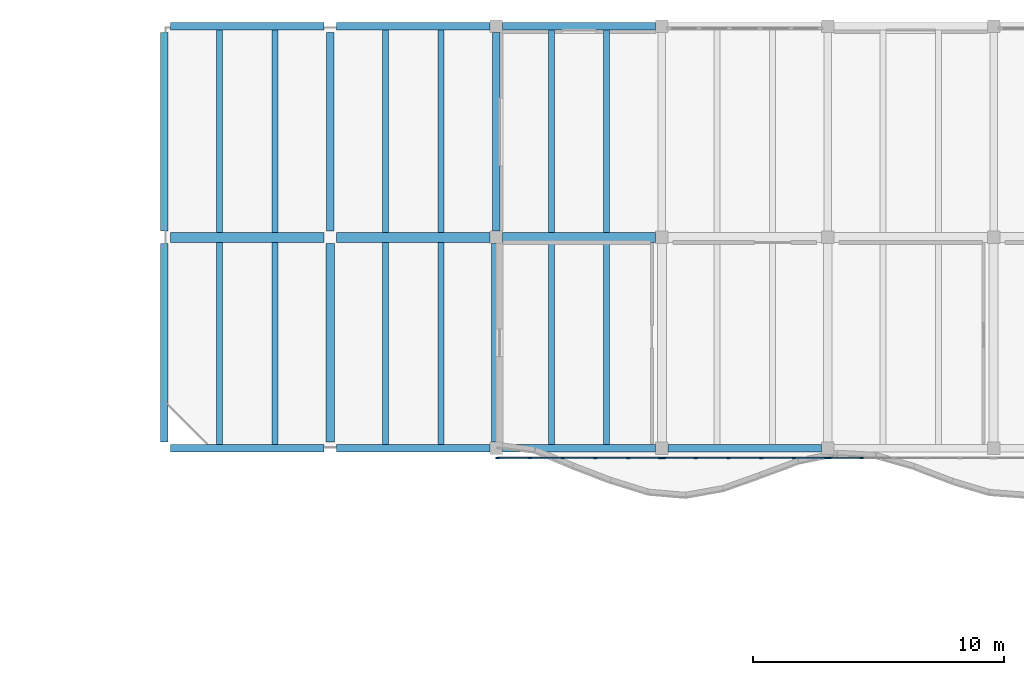
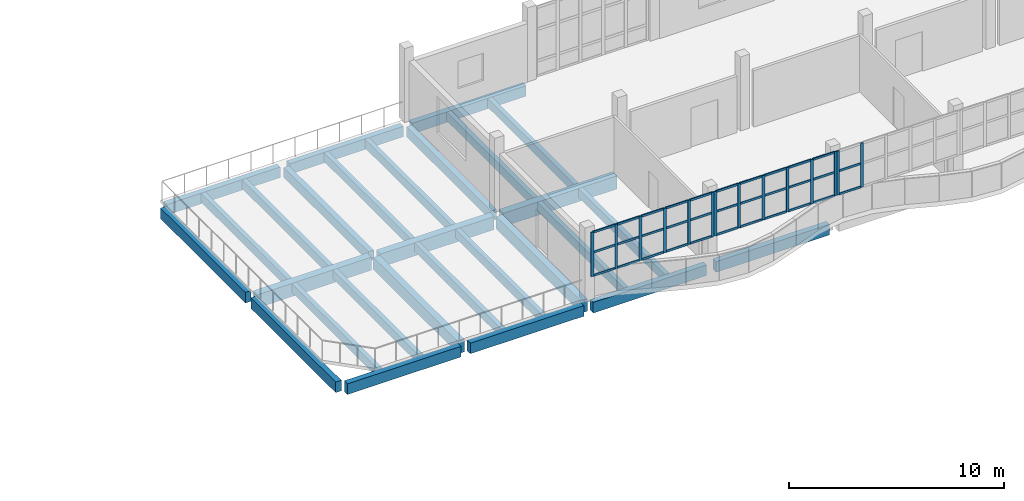
# One storey, part 8 of 47: 46 members, 28 beams, 3 elements without a shape of their own.
"""IFC4 building model written with IfcOpenShell, lengths in metres."""

from ifc_helpers import new_model, si_unit, direction, frame, origin, origin_2d, place, context, subcontext, project, spatial, rectangle, extrude, material, material_profile, profile_set, type_object, element, aggregate, save


model = new_model("IFC4")

# Units and contexts
model_context = context("Model", 3, precision=1e-05, world=origin(), true_north=direction((0.0, 1.0)))
body_context = subcontext(model_context, "Body", "Model", "MODEL_VIEW")
ifc_project = project(units=[si_unit("LENGTHUNIT", "METRE"), si_unit("AREAUNIT", "SQUARE_METRE"), si_unit("VOLUMEUNIT", "CUBIC_METRE"), si_unit("PLANEANGLEUNIT", "RADIAN"), si_unit("MASSUNIT", "GRAM", prefix="KILO")], contexts=[model_context])

# Site, building, storey
site_placement = place(None, origin())
site = spatial("IfcSite", under=ifc_project, at=site_placement, CompositionType="ELEMENT")
building_placement = place(site_placement, origin())
building = spatial("IfcBuilding", under=site, at=building_placement, Name="Qaldarim Faculty of Natural and Applied Sciences", CompositionType="ELEMENT")
storey_placement = place(building_placement, frame((0.0, 0.0, 22.800048828125)))
storey = spatial("IfcBuildingStorey", under=building, at=storey_placement, Name="L05", CompositionType="ELEMENT", Elevation=22.800048828125)

# Beams
ifc_material_1 = material(Name="Concrete C40/50", Category="concrete")
ifc_material_profile_1 = material_profile(ifc_material_1, rectangle(XDim=0.300048828125, YDim=0.550048828125, at=origin_2d()), Name="RC-B300x550")
ifc_profile_set_1 = profile_set([ifc_material_profile_1], Name="Concrete C40/50")
beam_type_1 = type_object("IfcBeamType", Name="FloorBeam-RC300x550", PredefinedType="BEAM", material=ifc_profile_set_1)
for number, where, z_axis, x_axis, name in (
    (1, (52.800048828125, 109.449951171875, -0.53515625), (0.0, 1.0, 0.0), (-1.0, 0.0, 0.0), "Beam RC-B300x550 L04 X09/Y14-Y15"),
    (2, (59.39990234375, 109.449951171875, -0.53515625), (0.0, 1.0, 0.0), (-1.0, 0.0, 0.0), "Beam RC-B300x550 L04 X10/Y14-Y15"),
):
    element("IfcBeam", number, at=place(storey_placement, frame(where, z_axis=z_axis, x_axis=x_axis)), inside=storey, type_object=beam_type_1, Name=name, PredefinedType="BEAM", context=body_context, shape_type="SweptSolid", body=[
        extrude(rectangle(XDim=0.300048828125, YDim=0.550048828125, at=origin_2d()), origin(), (0.0, 0.0, 1.0), 7.900146484375),
    ])
ifc_material_profile_2 = material_profile(ifc_material_1, rectangle(XDim=0.239990234375, YDim=0.5, at=origin_2d()), Name="RC-J240x500")
ifc_profile_set_2 = profile_set([ifc_material_profile_2], Name="Concrete C40/50")
beam_type_2 = type_object("IfcBeamType", Name="HeavyJoist-RC240x500", PredefinedType="JOIST", material=ifc_profile_set_2)
for number, where, z_axis, x_axis, name in (
    (3, (48.39990234375, 100.949951171875, -0.510009765625), (0.0, 1.0, 0.0), (-1.0, 0.0, 0.0), "Laboratory joist L04 bay X08Y13-1"),
    (4, (50.60009765625, 100.949951171875, -0.510009765625), (0.0, 1.0, 0.0), (-1.0, 0.0, 0.0), "Laboratory joist L04 bay X08Y13-2"),
    (5, (48.39990234375, 109.39990234375, -0.510009765625), (0.0, 1.0, 0.0), (-1.0, 0.0, 0.0), "Laboratory joist L04 bay X08Y14-1"),
    (6, (50.60009765625, 109.39990234375, -0.510009765625), (0.0, 1.0, 0.0), (-1.0, 0.0, 0.0), "Laboratory joist L04 bay X08Y14-2"),
    (7, (55.0, 100.949951171875, -0.510009765625), (0.0, 1.0, 0.0), (-1.0, 0.0, 0.0), "Laboratory joist L04 bay X09Y13-1"),
    (8, (57.199951171875, 100.949951171875, -0.510009765625), (0.0, 1.0, 0.0), (-1.0, 0.0, 0.0), "Laboratory joist L04 bay X09Y13-2"),
    (9, (55.0, 109.39990234375, -0.510009765625), (0.0, 1.0, 0.0), (-1.0, 0.0, 0.0), "Laboratory joist L04 bay X09Y14-1"),
    (10, (57.199951171875, 109.39990234375, -0.510009765625), (0.0, 1.0, 0.0), (-1.0, 0.0, 0.0), "Laboratory joist L04 bay X09Y14-2"),
    (11, (61.60009765625, 100.949951171875, -0.510009765625), (0.0, 1.0, 0.0), (-1.0, 0.0, 0.0), "Laboratory joist L04 bay X10Y13-1"),
    (12, (63.800048828125, 100.949951171875, -0.510009765625), (0.0, 1.0, 0.0), (-1.0, 0.0, 0.0), "Laboratory joist L04 bay X10Y13-2"),
    (13, (61.60009765625, 109.39990234375, -0.510009765625), (0.0, 1.0, 0.0), (-1.0, 0.0, 0.0), "Laboratory joist L04 bay X10Y14-1"),
    (14, (63.800048828125, 109.39990234375, -0.510009765625), (0.0, 1.0, 0.0), (-1.0, 0.0, 0.0), "Laboratory joist L04 bay X10Y14-2"),
):
    element("IfcBeam", number, at=place(storey_placement, frame(where, z_axis=z_axis, x_axis=x_axis)), inside=storey, type_object=beam_type_2, Name=name, PredefinedType="JOIST", context=body_context, shape_type="SweptSolid", body=[
        extrude(rectangle(XDim=0.239990234375, YDim=0.5, at=origin_2d()), origin(), (0.0, 0.0, 1.0), 8.050048828125),
    ])
ifc_material_2 = material(Name="Concrete C50/60", Category="concrete")
ifc_material_profile_3 = material_profile(ifc_material_2, rectangle(XDim=0.39990234375, YDim=0.75, at=origin_2d()), Name="RC-B400x750")
ifc_profile_set_3 = profile_set([ifc_material_profile_3], Name="Concrete C50/60")
beam_type_3 = type_object("IfcBeamType", Name="LabGirder-RC400x750", PredefinedType="BEAM", material=ifc_profile_set_3)
beam_1_placement = place(storey_placement, frame((46.449951171875, 109.199951171875, -0.635009765625), z_axis=(1.0, 0.0, 0.0), x_axis=(0.0, 1.0, 0.0)))
element("IfcBeam", 15, at=beam_1_placement, inside=storey, type_object=beam_type_3, Name="Beam RC-B400x750 L04 X08-X09/Y14", PredefinedType="BEAM", context=body_context, shape_type="SweptSolid", body=[
    extrude(rectangle(XDim=0.39990234375, YDim=0.75, at=origin_2d()), origin(), (0.0, 0.0, 1.0), 6.10009765625),
])
beam_2_placement = place(storey_placement, frame((53.050048828125, 109.199951171875, -0.635009765625), z_axis=(1.0, 0.0, 0.0), x_axis=(0.0, 1.0, 0.0)))
element("IfcBeam", 16, at=beam_2_placement, inside=storey, type_object=beam_type_3, Name="Beam RC-B400x750 L04 X09-X10/Y14", PredefinedType="BEAM", context=body_context, shape_type="SweptSolid", body=[
    extrude(rectangle(XDim=0.39990234375, YDim=0.75, at=origin_2d()), origin(), (0.0, 0.0, 1.0), 6.099853515625),
])
beam_3_placement = place(storey_placement, frame((59.64990234375, 109.199951171875, -0.635009765625), z_axis=(1.0, 0.0, 0.0), x_axis=(0.0, 1.0, 0.0)))
element("IfcBeam", 17, at=beam_3_placement, inside=storey, type_object=beam_type_3, Name="Beam RC-B400x750 L04 X10-X11/Y14", PredefinedType="BEAM", context=body_context, shape_type="SweptSolid", body=[
    extrude(rectangle(XDim=0.39990234375, YDim=0.75, at=origin_2d()), origin(), (0.0, 0.0, 1.0), 6.10009765625),
])

# Curtain wall, members
ifc_material_3 = material(Name="Anodised aluminium AW-6063", Category="aluminium")
curtain_wall_type = type_object("IfcCurtainWallType", Name="CurtainWallSystem-M1400", PredefinedType="USERDEFINED", material=ifc_material_3)
curtain_wall_1_placement = place(storey_placement, origin())
curtain_wall_1 = element("IfcCurtainWall", 18, at=curtain_wall_1_placement, inside=storey, type_object=curtain_wall_type, Name="Curtain wall CW-V4RIB-L05-X10", ObjectType="STICK CURTAIN WALL", PredefinedType="USERDEFINED")
ifc_material_profile_4 = material_profile(ifc_material_3, rectangle(XDim=0.06005859375, YDim=0.14990234375, at=origin_2d()), Name="ALU-M60x150")
ifc_profile_set_4 = profile_set([ifc_material_profile_4], Name="Anodised aluminium AW-6063")
member_type_1 = type_object("IfcMemberType", Name="Mullion-ALU60x150", PredefinedType="MULLION", material=ifc_profile_set_4)
member_1_placement = place(storey_placement, frame((59.469970703125, 100.419921875, 1.449951171875), z_axis=(0.0, 0.0, 1.0), x_axis=(0.0, 1.0, 0.0)))
member_1 = element("IfcMember", 19, at=member_1_placement, type_object=member_type_1, Name="Mullion 1 of CW-V4RIB-L05-X10", PredefinedType="MULLION", context=body_context, shape_type="SweptSolid", body=[
    extrude(rectangle(XDim=0.06005859375, YDim=0.14990234375, at=origin_2d()), origin(), (0.0, 0.0, 1.0), 2.510009765625),
])
member_2_placement = place(storey_placement, frame((60.743896484375, 100.419921875, 1.449951171875), z_axis=(0.0, 0.0, 1.0), x_axis=(0.0, 1.0, 0.0)))
member_2 = element("IfcMember", 20, at=member_2_placement, type_object=member_type_1, Name="Mullion 2 of CW-V4RIB-L05-X10", PredefinedType="MULLION", context=body_context, shape_type="SweptSolid", body=[
    extrude(rectangle(XDim=0.06005859375, YDim=0.14990234375, at=origin_2d()), origin(), (0.0, 0.0, 1.0), 2.510009765625),
])
member_3_placement = place(storey_placement, frame((62.048095703125, 100.419921875, 1.449951171875), z_axis=(0.0, 0.0, 1.0), x_axis=(0.0, 1.0, 0.0)))
member_3 = element("IfcMember", 21, at=member_3_placement, type_object=member_type_1, Name="Mullion 3 of CW-V4RIB-L05-X10", PredefinedType="MULLION", context=body_context, shape_type="SweptSolid", body=[
    extrude(rectangle(XDim=0.06005859375, YDim=0.14990234375, at=origin_2d()), origin(), (0.0, 0.0, 1.0), 2.510009765625),
])
member_4_placement = place(storey_placement, frame((63.35205078125, 100.419921875, 1.449951171875), z_axis=(0.0, 0.0, 1.0), x_axis=(0.0, 1.0, 0.0)))
member_4 = element("IfcMember", 22, at=member_4_placement, type_object=member_type_1, Name="Mullion 4 of CW-V4RIB-L05-X10", PredefinedType="MULLION", context=body_context, shape_type="SweptSolid", body=[
    extrude(rectangle(XDim=0.06005859375, YDim=0.14990234375, at=origin_2d()), origin(), (0.0, 0.0, 1.0), 2.510009765625),
])
member_5_placement = place(storey_placement, frame((64.656005859375, 100.419921875, 1.449951171875), z_axis=(0.0, 0.0, 1.0), x_axis=(0.0, 1.0, 0.0)))
member_5 = element("IfcMember", 23, at=member_5_placement, type_object=member_type_1, Name="Mullion 5 of CW-V4RIB-L05-X10", PredefinedType="MULLION", context=body_context, shape_type="SweptSolid", body=[
    extrude(rectangle(XDim=0.06005859375, YDim=0.14990234375, at=origin_2d()), origin(), (0.0, 0.0, 1.0), 2.510009765625),
])
member_6_placement = place(storey_placement, frame((65.929931640625, 100.419921875, 1.449951171875), z_axis=(0.0, 0.0, 1.0), x_axis=(0.0, 1.0, 0.0)))
member_6 = element("IfcMember", 24, at=member_6_placement, type_object=member_type_1, Name="Mullion 6 of CW-V4RIB-L05-X10", PredefinedType="MULLION", context=body_context, shape_type="SweptSolid", body=[
    extrude(rectangle(XDim=0.06005859375, YDim=0.14990234375, at=origin_2d()), origin(), (0.0, 0.0, 1.0), 2.510009765625),
])

curtain_wall_2_placement = place(storey_placement, origin())
curtain_wall_2 = element("IfcCurtainWall", 25, at=curtain_wall_2_placement, inside=storey, type_object=curtain_wall_type, Name="Curtain wall CW-V4RIB-L05-X11", ObjectType="STICK CURTAIN WALL", PredefinedType="USERDEFINED")
member_7_placement = place(storey_placement, frame((66.070068359375, 100.419921875, 1.449951171875), z_axis=(0.0, 0.0, 1.0), x_axis=(0.0, 1.0, 0.0)))
member_7 = element("IfcMember", 26, at=member_7_placement, type_object=member_type_1, Name="Mullion 1 of CW-V4RIB-L05-X11", PredefinedType="MULLION", context=body_context, shape_type="SweptSolid", body=[
    extrude(rectangle(XDim=0.06005859375, YDim=0.14990234375, at=origin_2d()), origin(), (0.0, 0.0, 1.0), 2.510009765625),
])
member_8_placement = place(storey_placement, frame((67.343994140625, 100.419921875, 1.449951171875), z_axis=(0.0, 0.0, 1.0), x_axis=(0.0, 1.0, 0.0)))
member_8 = element("IfcMember", 27, at=member_8_placement, type_object=member_type_1, Name="Mullion 2 of CW-V4RIB-L05-X11", PredefinedType="MULLION", context=body_context, shape_type="SweptSolid", body=[
    extrude(rectangle(XDim=0.06005859375, YDim=0.14990234375, at=origin_2d()), origin(), (0.0, 0.0, 1.0), 2.510009765625),
])
member_9_placement = place(storey_placement, frame((68.64794921875, 100.419921875, 1.449951171875), z_axis=(0.0, 0.0, 1.0), x_axis=(0.0, 1.0, 0.0)))
member_9 = element("IfcMember", 28, at=member_9_placement, type_object=member_type_1, Name="Mullion 3 of CW-V4RIB-L05-X11", PredefinedType="MULLION", context=body_context, shape_type="SweptSolid", body=[
    extrude(rectangle(XDim=0.06005859375, YDim=0.14990234375, at=origin_2d()), origin(), (0.0, 0.0, 1.0), 2.510009765625),
])
member_10_placement = place(storey_placement, frame((69.951904296875, 100.419921875, 1.449951171875), z_axis=(0.0, 0.0, 1.0), x_axis=(0.0, 1.0, 0.0)))
member_10 = element("IfcMember", 29, at=member_10_placement, type_object=member_type_1, Name="Mullion 4 of CW-V4RIB-L05-X11", PredefinedType="MULLION", context=body_context, shape_type="SweptSolid", body=[
    extrude(rectangle(XDim=0.06005859375, YDim=0.14990234375, at=origin_2d()), origin(), (0.0, 0.0, 1.0), 2.510009765625),
])
member_11_placement = place(storey_placement, frame((71.256103515625, 100.419921875, 1.449951171875), z_axis=(0.0, 0.0, 1.0), x_axis=(0.0, 1.0, 0.0)))
member_11 = element("IfcMember", 30, at=member_11_placement, type_object=member_type_1, Name="Mullion 5 of CW-V4RIB-L05-X11", PredefinedType="MULLION", context=body_context, shape_type="SweptSolid", body=[
    extrude(rectangle(XDim=0.06005859375, YDim=0.14990234375, at=origin_2d()), origin(), (0.0, 0.0, 1.0), 2.510009765625),
])
member_12_placement = place(storey_placement, frame((72.530029296875, 100.419921875, 1.449951171875), z_axis=(0.0, 0.0, 1.0), x_axis=(0.0, 1.0, 0.0)))
member_12 = element("IfcMember", 31, at=member_12_placement, type_object=member_type_1, Name="Mullion 6 of CW-V4RIB-L05-X11", PredefinedType="MULLION", context=body_context, shape_type="SweptSolid", body=[
    extrude(rectangle(XDim=0.06005859375, YDim=0.14990234375, at=origin_2d()), origin(), (0.0, 0.0, 1.0), 2.510009765625),
])

curtain_wall_3_placement = place(storey_placement, origin())
curtain_wall_3 = element("IfcCurtainWall", 32, at=curtain_wall_3_placement, inside=storey, type_object=curtain_wall_type, Name="Curtain wall CW-V4RIB-L05-X12", ObjectType="STICK CURTAIN WALL", PredefinedType="USERDEFINED")
member_13_placement = place(storey_placement, frame((72.669921875, 100.419921875, 1.449951171875), z_axis=(0.0, 0.0, 1.0), x_axis=(0.0, 1.0, 0.0)))
member_13 = element("IfcMember", 33, at=member_13_placement, type_object=member_type_1, Name="Mullion 1 of CW-V4RIB-L05-X12", PredefinedType="MULLION", context=body_context, shape_type="SweptSolid", body=[
    extrude(rectangle(XDim=0.06005859375, YDim=0.14990234375, at=origin_2d()), origin(), (0.0, 0.0, 1.0), 2.510009765625),
])
member_14_placement = place(storey_placement, frame((73.944091796875, 100.419921875, 1.449951171875), z_axis=(0.0, 0.0, 1.0), x_axis=(0.0, 1.0, 0.0)))
member_14 = element("IfcMember", 34, at=member_14_placement, type_object=member_type_1, Name="Mullion 2 of CW-V4RIB-L05-X12", PredefinedType="MULLION", context=body_context, shape_type="SweptSolid", body=[
    extrude(rectangle(XDim=0.06005859375, YDim=0.14990234375, at=origin_2d()), origin(), (0.0, 0.0, 1.0), 2.510009765625),
])

# Beams
ifc_material_profile_5 = material_profile(ifc_material_1, rectangle(XDim=0.35009765625, YDim=0.699951171875, at=origin_2d()), Name="RC-B350x700")
ifc_profile_set_5 = profile_set([ifc_material_profile_5], Name="Concrete C40/50")
beam_type_4 = type_object("IfcBeamType", Name="PrimaryGirder-RC350x700", PredefinedType="BEAM", material=ifc_profile_set_5)
for number, where, z_axis, x_axis, name in (
    (35, (52.800048828125, 101.050048828125, -0.610107421875), (0.0, 1.0, 0.0), (-1.0, 0.0, 0.0), "Beam RC-B350x700 L04 X09/Y13-Y14"),
    (36, (59.39990234375, 101.050048828125, -0.610107421875), (0.0, 1.0, 0.0), (-1.0, 0.0, 0.0), "Beam RC-B350x700 L04 X10/Y13-Y14"),
):
    element("IfcBeam", number, at=place(storey_placement, frame(where, z_axis=z_axis, x_axis=x_axis)), inside=storey, type_object=beam_type_4, Name=name, PredefinedType="BEAM", context=body_context, shape_type="SweptSolid", body=[
        extrude(rectangle(XDim=0.35009765625, YDim=0.699951171875, at=origin_2d()), origin(), (0.0, 0.0, 1.0), 7.89990234375),
    ])
ifc_material_4 = material(Name="Precast concrete C40/50", Category="concrete")
ifc_material_profile_6 = material_profile(ifc_material_4, rectangle(XDim=0.300048828125, YDim=0.60009765625, at=origin_2d()), Name="RC-SP300x600")
ifc_profile_set_6 = profile_set([ifc_material_profile_6], Name="Precast concrete C40/50")
beam_type_5 = type_object("IfcBeamType", Name="SpandrelBeam-RC300x600", PredefinedType="SPANDREL", material=ifc_profile_set_6)
beam_4_placement = place(storey_placement, frame((46.449951171875, 100.800048828125, -0.56005859375), z_axis=(1.0, 0.0, 0.0), x_axis=(0.0, 1.0, 0.0)))
element("IfcBeam", 37, at=beam_4_placement, inside=storey, type_object=beam_type_5, Name="Beam RC-SP300x600 L04 X08-X09/Y13", PredefinedType="SPANDREL", context=body_context, shape_type="SweptSolid", body=[
    extrude(rectangle(XDim=0.300048828125, YDim=0.60009765625, at=origin_2d()), origin(), (0.0, 0.0, 1.0), 6.10009765625),
])
beam_5_placement = place(storey_placement, frame((53.050048828125, 100.800048828125, -0.56005859375), z_axis=(1.0, 0.0, 0.0), x_axis=(0.0, 1.0, 0.0)))
element("IfcBeam", 38, at=beam_5_placement, inside=storey, type_object=beam_type_5, Name="Beam RC-SP300x600 L04 X09-X10/Y13", PredefinedType="SPANDREL", context=body_context, shape_type="SweptSolid", body=[
    extrude(rectangle(XDim=0.300048828125, YDim=0.60009765625, at=origin_2d()), origin(), (0.0, 0.0, 1.0), 6.099853515625),
])
for number, where, z_axis, x_axis, name in (
    (39, (59.64990234375, 100.800048828125, -0.56005859375), (1.0, 0.0, 0.0), (0.0, 1.0, 0.0), "Beam RC-SP300x600 L04 X10-X11/Y13"),
    (40, (66.25, 100.800048828125, -0.56005859375), (1.0, 0.0, 0.0), (0.0, 1.0, 0.0), "Beam RC-SP300x600 L04 X11-X12/Y13"),
    (41, (46.449951171875, 117.60009765625, -0.56005859375), (1.0, 0.0, 0.0), (0.0, 1.0, 0.0), "Beam RC-SP300x600 L04 X08-X09/Y15"),
):
    element("IfcBeam", number, at=place(storey_placement, frame(where, z_axis=z_axis, x_axis=x_axis)), inside=storey, type_object=beam_type_5, Name=name, PredefinedType="SPANDREL", context=body_context, shape_type="SweptSolid", body=[
        extrude(rectangle(XDim=0.300048828125, YDim=0.60009765625, at=origin_2d()), origin(), (0.0, 0.0, 1.0), 6.10009765625),
    ])
beam_6_placement = place(storey_placement, frame((53.050048828125, 117.60009765625, -0.56005859375), z_axis=(1.0, 0.0, 0.0), x_axis=(0.0, 1.0, 0.0)))
element("IfcBeam", 42, at=beam_6_placement, inside=storey, type_object=beam_type_5, Name="Beam RC-SP300x600 L04 X09-X10/Y15", PredefinedType="SPANDREL", context=body_context, shape_type="SweptSolid", body=[
    extrude(rectangle(XDim=0.300048828125, YDim=0.60009765625, at=origin_2d()), origin(), (0.0, 0.0, 1.0), 6.099853515625),
])
beam_7_placement = place(storey_placement, frame((59.64990234375, 117.60009765625, -0.56005859375), z_axis=(1.0, 0.0, 0.0), x_axis=(0.0, 1.0, 0.0)))
element("IfcBeam", 43, at=beam_7_placement, inside=storey, type_object=beam_type_5, Name="Beam RC-SP300x600 L04 X10-X11/Y15", PredefinedType="SPANDREL", context=body_context, shape_type="SweptSolid", body=[
    extrude(rectangle(XDim=0.300048828125, YDim=0.60009765625, at=origin_2d()), origin(), (0.0, 0.0, 1.0), 6.10009765625),
])
beam_8_placement = place(storey_placement, frame((46.199951171875, 101.050048828125, -0.56005859375), z_axis=(0.0, 1.0, 0.0), x_axis=(-1.0, 0.0, 0.0)))
element("IfcBeam", 44, at=beam_8_placement, inside=storey, type_object=beam_type_5, Name="Beam RC-SP300x600 L04 X08/Y13-Y14", PredefinedType="SPANDREL", context=body_context, shape_type="SweptSolid", body=[
    extrude(rectangle(XDim=0.300048828125, YDim=0.60009765625, at=origin_2d()), origin(), (0.0, 0.0, 1.0), 7.89990234375),
])
beam_9_placement = place(storey_placement, frame((46.199951171875, 109.449951171875, -0.56005859375), z_axis=(0.0, 1.0, 0.0), x_axis=(-1.0, 0.0, 0.0)))
element("IfcBeam", 45, at=beam_9_placement, inside=storey, type_object=beam_type_5, Name="Beam RC-SP300x600 L04 X08/Y14-Y15", PredefinedType="SPANDREL", context=body_context, shape_type="SweptSolid", body=[
    extrude(rectangle(XDim=0.300048828125, YDim=0.60009765625, at=origin_2d()), origin(), (0.0, 0.0, 1.0), 7.900146484375),
])

# Member
ifc_material_profile_7 = material_profile(ifc_material_3, rectangle(XDim=0.06005859375, YDim=0.1201171875, at=origin_2d()), Name="ALU-T60x120")
ifc_profile_set_7 = profile_set([ifc_material_profile_7], Name="Anodised aluminium AW-6063")
member_type_2 = type_object("IfcMemberType", Name="Transom-ALU60x120", PredefinedType="USERDEFINED", material=ifc_profile_set_7)
member_15_placement = place(storey_placement, frame((59.5, 100.419921875, 1.47998046875), z_axis=(1.0, 0.0, 0.0), x_axis=(0.0, 1.0, 0.0)))
member_15 = element("IfcMember", 46, at=member_15_placement, type_object=member_type_2, Name="Transom 1-1 of CW-V4RIB-L05-X10", ObjectType="TRANSOM", PredefinedType="USERDEFINED", context=body_context, shape_type="SweptSolid", body=[
    extrude(rectangle(XDim=0.06005859375, YDim=0.1201171875, at=origin_2d()), origin(), (0.0, 0.0, 1.0), 1.214111328125),
])

member_16_placement = place(storey_placement, frame((59.5, 100.419921875, 2.800048828125), z_axis=(1.0, 0.0, 0.0), x_axis=(0.0, 1.0, 0.0)))
member_16 = element("IfcMember", 47, at=member_16_placement, type_object=member_type_2, Name="Transom 1-2 of CW-V4RIB-L05-X10", ObjectType="TRANSOM", PredefinedType="USERDEFINED", context=body_context, shape_type="SweptSolid", body=[
    extrude(rectangle(XDim=0.06005859375, YDim=0.1201171875, at=origin_2d()), origin(), (0.0, 0.0, 1.0), 1.214111328125),
])

member_17_placement = place(storey_placement, frame((59.5, 100.419921875, 3.929931640625), z_axis=(1.0, 0.0, 0.0), x_axis=(0.0, 1.0, 0.0)))
member_17 = element("IfcMember", 48, at=member_17_placement, type_object=member_type_2, Name="Transom 1-3 of CW-V4RIB-L05-X10", ObjectType="TRANSOM", PredefinedType="USERDEFINED", context=body_context, shape_type="SweptSolid", body=[
    extrude(rectangle(XDim=0.06005859375, YDim=0.1201171875, at=origin_2d()), origin(), (0.0, 0.0, 1.0), 1.214111328125),
])

member_18_placement = place(storey_placement, frame((60.77392578125, 100.419921875, 1.47998046875), z_axis=(1.0, 0.0, 0.0), x_axis=(0.0, 1.0, 0.0)))
member_18 = element("IfcMember", 49, at=member_18_placement, type_object=member_type_2, Name="Transom 2-1 of CW-V4RIB-L05-X10", ObjectType="TRANSOM", PredefinedType="USERDEFINED", context=body_context, shape_type="SweptSolid", body=[
    extrude(rectangle(XDim=0.06005859375, YDim=0.1201171875, at=origin_2d()), origin(), (0.0, 0.0, 1.0), 1.244140625),
])

member_19_placement = place(storey_placement, frame((60.77392578125, 100.419921875, 2.800048828125), z_axis=(1.0, 0.0, 0.0), x_axis=(0.0, 1.0, 0.0)))
member_19 = element("IfcMember", 50, at=member_19_placement, type_object=member_type_2, Name="Transom 2-2 of CW-V4RIB-L05-X10", ObjectType="TRANSOM", PredefinedType="USERDEFINED", context=body_context, shape_type="SweptSolid", body=[
    extrude(rectangle(XDim=0.06005859375, YDim=0.1201171875, at=origin_2d()), origin(), (0.0, 0.0, 1.0), 1.244140625),
])

member_20_placement = place(storey_placement, frame((60.77392578125, 100.419921875, 3.929931640625), z_axis=(1.0, 0.0, 0.0), x_axis=(0.0, 1.0, 0.0)))
member_20 = element("IfcMember", 51, at=member_20_placement, type_object=member_type_2, Name="Transom 2-3 of CW-V4RIB-L05-X10", ObjectType="TRANSOM", PredefinedType="USERDEFINED", context=body_context, shape_type="SweptSolid", body=[
    extrude(rectangle(XDim=0.06005859375, YDim=0.1201171875, at=origin_2d()), origin(), (0.0, 0.0, 1.0), 1.244140625),
])

member_21_placement = place(storey_placement, frame((62.077880859375, 100.419921875, 1.47998046875), z_axis=(1.0, 0.0, 0.0), x_axis=(0.0, 1.0, 0.0)))
member_21 = element("IfcMember", 52, at=member_21_placement, type_object=member_type_2, Name="Transom 3-1 of CW-V4RIB-L05-X10", ObjectType="TRANSOM", PredefinedType="USERDEFINED", context=body_context, shape_type="SweptSolid", body=[
    extrude(rectangle(XDim=0.06005859375, YDim=0.1201171875, at=origin_2d()), origin(), (0.0, 0.0, 1.0), 1.244140625),
])

member_22_placement = place(storey_placement, frame((62.077880859375, 100.419921875, 2.800048828125), z_axis=(1.0, 0.0, 0.0), x_axis=(0.0, 1.0, 0.0)))
member_22 = element("IfcMember", 53, at=member_22_placement, type_object=member_type_2, Name="Transom 3-2 of CW-V4RIB-L05-X10", ObjectType="TRANSOM", PredefinedType="USERDEFINED", context=body_context, shape_type="SweptSolid", body=[
    extrude(rectangle(XDim=0.06005859375, YDim=0.1201171875, at=origin_2d()), origin(), (0.0, 0.0, 1.0), 1.244140625),
])

member_23_placement = place(storey_placement, frame((62.077880859375, 100.419921875, 3.929931640625), z_axis=(1.0, 0.0, 0.0), x_axis=(0.0, 1.0, 0.0)))
member_23 = element("IfcMember", 54, at=member_23_placement, type_object=member_type_2, Name="Transom 3-3 of CW-V4RIB-L05-X10", ObjectType="TRANSOM", PredefinedType="USERDEFINED", context=body_context, shape_type="SweptSolid", body=[
    extrude(rectangle(XDim=0.06005859375, YDim=0.1201171875, at=origin_2d()), origin(), (0.0, 0.0, 1.0), 1.244140625),
])

member_24_placement = place(storey_placement, frame((63.382080078125, 100.419921875, 1.47998046875), z_axis=(1.0, 0.0, 0.0), x_axis=(0.0, 1.0, 0.0)))
member_24 = element("IfcMember", 55, at=member_24_placement, type_object=member_type_2, Name="Transom 4-1 of CW-V4RIB-L05-X10", ObjectType="TRANSOM", PredefinedType="USERDEFINED", context=body_context, shape_type="SweptSolid", body=[
    extrude(rectangle(XDim=0.06005859375, YDim=0.1201171875, at=origin_2d()), origin(), (0.0, 0.0, 1.0), 1.243896484375),
])

member_25_placement = place(storey_placement, frame((63.382080078125, 100.419921875, 2.800048828125), z_axis=(1.0, 0.0, 0.0), x_axis=(0.0, 1.0, 0.0)))
member_25 = element("IfcMember", 56, at=member_25_placement, type_object=member_type_2, Name="Transom 4-2 of CW-V4RIB-L05-X10", ObjectType="TRANSOM", PredefinedType="USERDEFINED", context=body_context, shape_type="SweptSolid", body=[
    extrude(rectangle(XDim=0.06005859375, YDim=0.1201171875, at=origin_2d()), origin(), (0.0, 0.0, 1.0), 1.243896484375),
])

member_26_placement = place(storey_placement, frame((63.382080078125, 100.419921875, 3.929931640625), z_axis=(1.0, 0.0, 0.0), x_axis=(0.0, 1.0, 0.0)))
member_26 = element("IfcMember", 57, at=member_26_placement, type_object=member_type_2, Name="Transom 4-3 of CW-V4RIB-L05-X10", ObjectType="TRANSOM", PredefinedType="USERDEFINED", context=body_context, shape_type="SweptSolid", body=[
    extrude(rectangle(XDim=0.06005859375, YDim=0.1201171875, at=origin_2d()), origin(), (0.0, 0.0, 1.0), 1.243896484375),
])

member_27_placement = place(storey_placement, frame((64.68603515625, 100.419921875, 1.47998046875), z_axis=(1.0, 0.0, 0.0), x_axis=(0.0, 1.0, 0.0)))
member_27 = element("IfcMember", 58, at=member_27_placement, type_object=member_type_2, Name="Transom 5-1 of CW-V4RIB-L05-X10", ObjectType="TRANSOM", PredefinedType="USERDEFINED", context=body_context, shape_type="SweptSolid", body=[
    extrude(rectangle(XDim=0.06005859375, YDim=0.1201171875, at=origin_2d()), origin(), (0.0, 0.0, 1.0), 1.2138671875),
])

member_28_placement = place(storey_placement, frame((64.68603515625, 100.419921875, 2.800048828125), z_axis=(1.0, 0.0, 0.0), x_axis=(0.0, 1.0, 0.0)))
member_28 = element("IfcMember", 59, at=member_28_placement, type_object=member_type_2, Name="Transom 5-2 of CW-V4RIB-L05-X10", ObjectType="TRANSOM", PredefinedType="USERDEFINED", context=body_context, shape_type="SweptSolid", body=[
    extrude(rectangle(XDim=0.06005859375, YDim=0.1201171875, at=origin_2d()), origin(), (0.0, 0.0, 1.0), 1.2138671875),
])

member_29_placement = place(storey_placement, frame((64.68603515625, 100.419921875, 3.929931640625), z_axis=(1.0, 0.0, 0.0), x_axis=(0.0, 1.0, 0.0)))
member_29 = element("IfcMember", 60, at=member_29_placement, type_object=member_type_2, Name="Transom 5-3 of CW-V4RIB-L05-X10", ObjectType="TRANSOM", PredefinedType="USERDEFINED", context=body_context, shape_type="SweptSolid", body=[
    extrude(rectangle(XDim=0.06005859375, YDim=0.1201171875, at=origin_2d()), origin(), (0.0, 0.0, 1.0), 1.2138671875),
])

aggregate(curtain_wall_1, [member_1, member_2, member_3, member_4, member_5, member_6, member_15, member_16, member_17, member_18, member_19, member_20, member_21, member_22, member_23, member_24, member_25, member_26, member_27, member_28, member_29])

member_30_placement = place(storey_placement, frame((66.10009765625, 100.419921875, 1.47998046875), z_axis=(1.0, 0.0, 0.0), x_axis=(0.0, 1.0, 0.0)))
member_30 = element("IfcMember", 61, at=member_30_placement, type_object=member_type_2, Name="Transom 1-1 of CW-V4RIB-L05-X11", ObjectType="TRANSOM", PredefinedType="USERDEFINED", context=body_context, shape_type="SweptSolid", body=[
    extrude(rectangle(XDim=0.06005859375, YDim=0.1201171875, at=origin_2d()), origin(), (0.0, 0.0, 1.0), 1.2138671875),
])

member_31_placement = place(storey_placement, frame((66.10009765625, 100.419921875, 2.800048828125), z_axis=(1.0, 0.0, 0.0), x_axis=(0.0, 1.0, 0.0)))
member_31 = element("IfcMember", 62, at=member_31_placement, type_object=member_type_2, Name="Transom 1-2 of CW-V4RIB-L05-X11", ObjectType="TRANSOM", PredefinedType="USERDEFINED", context=body_context, shape_type="SweptSolid", body=[
    extrude(rectangle(XDim=0.06005859375, YDim=0.1201171875, at=origin_2d()), origin(), (0.0, 0.0, 1.0), 1.2138671875),
])

member_32_placement = place(storey_placement, frame((66.10009765625, 100.419921875, 3.929931640625), z_axis=(1.0, 0.0, 0.0), x_axis=(0.0, 1.0, 0.0)))
member_32 = element("IfcMember", 63, at=member_32_placement, type_object=member_type_2, Name="Transom 1-3 of CW-V4RIB-L05-X11", ObjectType="TRANSOM", PredefinedType="USERDEFINED", context=body_context, shape_type="SweptSolid", body=[
    extrude(rectangle(XDim=0.06005859375, YDim=0.1201171875, at=origin_2d()), origin(), (0.0, 0.0, 1.0), 1.2138671875),
])

member_33_placement = place(storey_placement, frame((67.3740234375, 100.419921875, 1.47998046875), z_axis=(1.0, 0.0, 0.0), x_axis=(0.0, 1.0, 0.0)))
member_33 = element("IfcMember", 64, at=member_33_placement, type_object=member_type_2, Name="Transom 2-1 of CW-V4RIB-L05-X11", ObjectType="TRANSOM", PredefinedType="USERDEFINED", context=body_context, shape_type="SweptSolid", body=[
    extrude(rectangle(XDim=0.06005859375, YDim=0.1201171875, at=origin_2d()), origin(), (0.0, 0.0, 1.0), 1.243896484375),
])

member_34_placement = place(storey_placement, frame((67.3740234375, 100.419921875, 2.800048828125), z_axis=(1.0, 0.0, 0.0), x_axis=(0.0, 1.0, 0.0)))
member_34 = element("IfcMember", 65, at=member_34_placement, type_object=member_type_2, Name="Transom 2-2 of CW-V4RIB-L05-X11", ObjectType="TRANSOM", PredefinedType="USERDEFINED", context=body_context, shape_type="SweptSolid", body=[
    extrude(rectangle(XDim=0.06005859375, YDim=0.1201171875, at=origin_2d()), origin(), (0.0, 0.0, 1.0), 1.243896484375),
])

member_35_placement = place(storey_placement, frame((67.3740234375, 100.419921875, 3.929931640625), z_axis=(1.0, 0.0, 0.0), x_axis=(0.0, 1.0, 0.0)))
member_35 = element("IfcMember", 66, at=member_35_placement, type_object=member_type_2, Name="Transom 2-3 of CW-V4RIB-L05-X11", ObjectType="TRANSOM", PredefinedType="USERDEFINED", context=body_context, shape_type="SweptSolid", body=[
    extrude(rectangle(XDim=0.06005859375, YDim=0.1201171875, at=origin_2d()), origin(), (0.0, 0.0, 1.0), 1.243896484375),
])

member_36_placement = place(storey_placement, frame((68.677978515625, 100.419921875, 1.47998046875), z_axis=(1.0, 0.0, 0.0), x_axis=(0.0, 1.0, 0.0)))
member_36 = element("IfcMember", 67, at=member_36_placement, type_object=member_type_2, Name="Transom 3-1 of CW-V4RIB-L05-X11", ObjectType="TRANSOM", PredefinedType="USERDEFINED", context=body_context, shape_type="SweptSolid", body=[
    extrude(rectangle(XDim=0.06005859375, YDim=0.1201171875, at=origin_2d()), origin(), (0.0, 0.0, 1.0), 1.244140625),
])

member_37_placement = place(storey_placement, frame((68.677978515625, 100.419921875, 2.800048828125), z_axis=(1.0, 0.0, 0.0), x_axis=(0.0, 1.0, 0.0)))
member_37 = element("IfcMember", 68, at=member_37_placement, type_object=member_type_2, Name="Transom 3-2 of CW-V4RIB-L05-X11", ObjectType="TRANSOM", PredefinedType="USERDEFINED", context=body_context, shape_type="SweptSolid", body=[
    extrude(rectangle(XDim=0.06005859375, YDim=0.1201171875, at=origin_2d()), origin(), (0.0, 0.0, 1.0), 1.244140625),
])

member_38_placement = place(storey_placement, frame((68.677978515625, 100.419921875, 3.929931640625), z_axis=(1.0, 0.0, 0.0), x_axis=(0.0, 1.0, 0.0)))
member_38 = element("IfcMember", 69, at=member_38_placement, type_object=member_type_2, Name="Transom 3-3 of CW-V4RIB-L05-X11", ObjectType="TRANSOM", PredefinedType="USERDEFINED", context=body_context, shape_type="SweptSolid", body=[
    extrude(rectangle(XDim=0.06005859375, YDim=0.1201171875, at=origin_2d()), origin(), (0.0, 0.0, 1.0), 1.244140625),
])

member_39_placement = place(storey_placement, frame((69.98193359375, 100.419921875, 1.47998046875), z_axis=(1.0, 0.0, 0.0), x_axis=(0.0, 1.0, 0.0)))
member_39 = element("IfcMember", 70, at=member_39_placement, type_object=member_type_2, Name="Transom 4-1 of CW-V4RIB-L05-X11", ObjectType="TRANSOM", PredefinedType="USERDEFINED", context=body_context, shape_type="SweptSolid", body=[
    extrude(rectangle(XDim=0.06005859375, YDim=0.1201171875, at=origin_2d()), origin(), (0.0, 0.0, 1.0), 1.244140625),
])

member_40_placement = place(storey_placement, frame((69.98193359375, 100.419921875, 2.800048828125), z_axis=(1.0, 0.0, 0.0), x_axis=(0.0, 1.0, 0.0)))
member_40 = element("IfcMember", 71, at=member_40_placement, type_object=member_type_2, Name="Transom 4-2 of CW-V4RIB-L05-X11", ObjectType="TRANSOM", PredefinedType="USERDEFINED", context=body_context, shape_type="SweptSolid", body=[
    extrude(rectangle(XDim=0.06005859375, YDim=0.1201171875, at=origin_2d()), origin(), (0.0, 0.0, 1.0), 1.244140625),
])

member_41_placement = place(storey_placement, frame((69.98193359375, 100.419921875, 3.929931640625), z_axis=(1.0, 0.0, 0.0), x_axis=(0.0, 1.0, 0.0)))
member_41 = element("IfcMember", 72, at=member_41_placement, type_object=member_type_2, Name="Transom 4-3 of CW-V4RIB-L05-X11", ObjectType="TRANSOM", PredefinedType="USERDEFINED", context=body_context, shape_type="SweptSolid", body=[
    extrude(rectangle(XDim=0.06005859375, YDim=0.1201171875, at=origin_2d()), origin(), (0.0, 0.0, 1.0), 1.244140625),
])

member_42_placement = place(storey_placement, frame((71.285888671875, 100.419921875, 1.47998046875), z_axis=(1.0, 0.0, 0.0), x_axis=(0.0, 1.0, 0.0)))
member_42 = element("IfcMember", 73, at=member_42_placement, type_object=member_type_2, Name="Transom 5-1 of CW-V4RIB-L05-X11", ObjectType="TRANSOM", PredefinedType="USERDEFINED", context=body_context, shape_type="SweptSolid", body=[
    extrude(rectangle(XDim=0.06005859375, YDim=0.1201171875, at=origin_2d()), origin(), (0.0, 0.0, 1.0), 1.214111328125),
])

member_43_placement = place(storey_placement, frame((71.285888671875, 100.419921875, 2.800048828125), z_axis=(1.0, 0.0, 0.0), x_axis=(0.0, 1.0, 0.0)))
member_43 = element("IfcMember", 74, at=member_43_placement, type_object=member_type_2, Name="Transom 5-2 of CW-V4RIB-L05-X11", ObjectType="TRANSOM", PredefinedType="USERDEFINED", context=body_context, shape_type="SweptSolid", body=[
    extrude(rectangle(XDim=0.06005859375, YDim=0.1201171875, at=origin_2d()), origin(), (0.0, 0.0, 1.0), 1.214111328125),
])

member_44_placement = place(storey_placement, frame((71.285888671875, 100.419921875, 3.929931640625), z_axis=(1.0, 0.0, 0.0), x_axis=(0.0, 1.0, 0.0)))
member_44 = element("IfcMember", 75, at=member_44_placement, type_object=member_type_2, Name="Transom 5-3 of CW-V4RIB-L05-X11", ObjectType="TRANSOM", PredefinedType="USERDEFINED", context=body_context, shape_type="SweptSolid", body=[
    extrude(rectangle(XDim=0.06005859375, YDim=0.1201171875, at=origin_2d()), origin(), (0.0, 0.0, 1.0), 1.214111328125),
])

aggregate(curtain_wall_2, [member_7, member_8, member_9, member_10, member_11, member_12, member_30, member_31, member_32, member_33, member_34, member_35, member_36, member_37, member_38, member_39, member_40, member_41, member_42, member_43, member_44])

member_45_placement = place(storey_placement, frame((72.699951171875, 100.419921875, 1.47998046875), z_axis=(1.0, 0.0, 0.0), x_axis=(0.0, 1.0, 0.0)))
member_45 = element("IfcMember", 76, at=member_45_placement, type_object=member_type_2, Name="Transom 1-1 of CW-V4RIB-L05-X12", ObjectType="TRANSOM", PredefinedType="USERDEFINED", context=body_context, shape_type="SweptSolid", body=[
    extrude(rectangle(XDim=0.06005859375, YDim=0.1201171875, at=origin_2d()), origin(), (0.0, 0.0, 1.0), 1.214111328125),
])

member_46_placement = place(storey_placement, frame((72.699951171875, 100.419921875, 2.800048828125), z_axis=(1.0, 0.0, 0.0), x_axis=(0.0, 1.0, 0.0)))
member_46 = element("IfcMember", 77, at=member_46_placement, type_object=member_type_2, Name="Transom 1-2 of CW-V4RIB-L05-X12", ObjectType="TRANSOM", PredefinedType="USERDEFINED", context=body_context, shape_type="SweptSolid", body=[
    extrude(rectangle(XDim=0.06005859375, YDim=0.1201171875, at=origin_2d()), origin(), (0.0, 0.0, 1.0), 1.214111328125),
])

aggregate(curtain_wall_3, [member_13, member_14, member_45, member_46])

save(model, "model.ifc")
